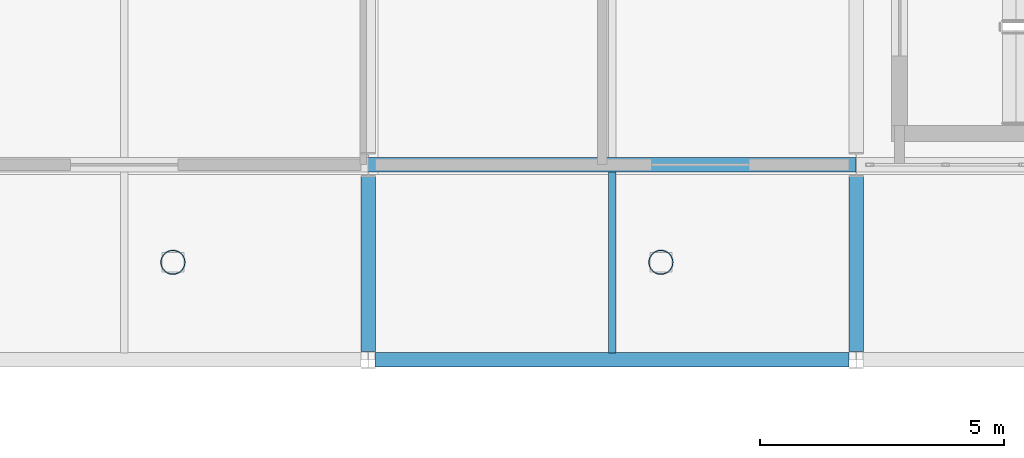
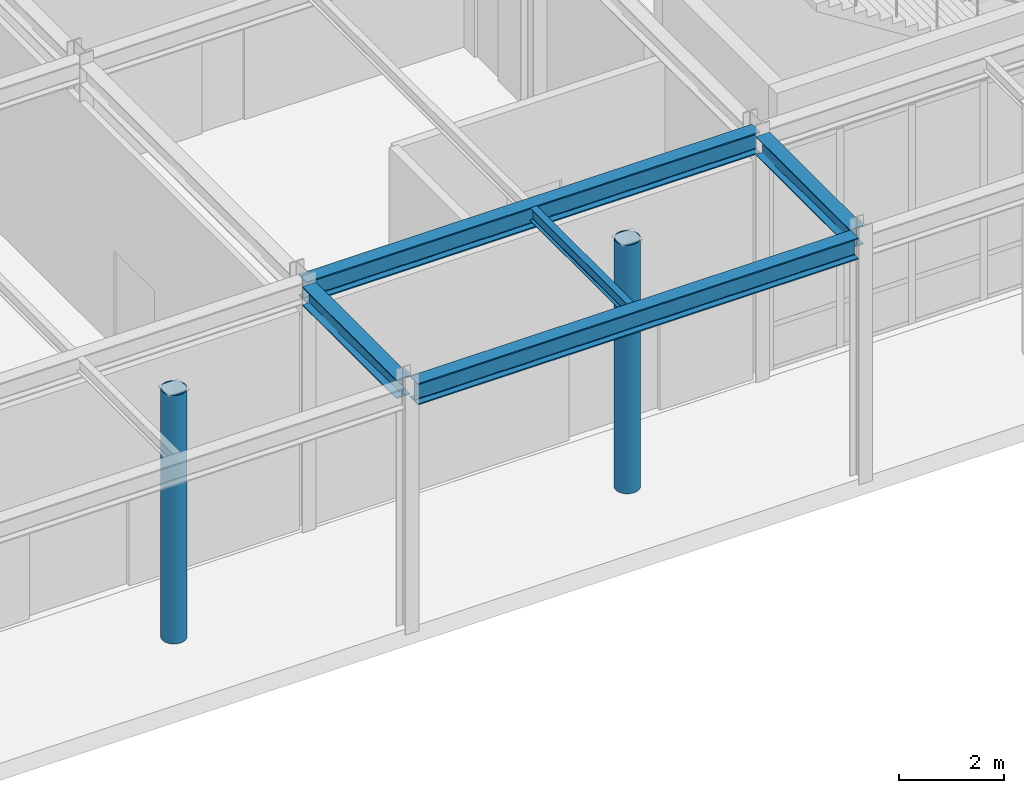
# One storey, part 81 of 146: 5 beams, 2 members.
"""IFC4 building model written with IfcOpenShell, lengths in metres."""

from ifc_helpers import new_model, si_unit, direction, frame, origin, origin_2d, place, context, subcontext, project, spatial, hollow_circle, i_section, extrude, material, material_profile, profile_set, type_object, element, save


model = new_model("IFC4")

# Units and contexts
model_context = context("Model", 3, precision=1e-05, world=origin(), true_north=direction((0.0, 1.0)))
body_context = subcontext(model_context, "Body", "Model", "MODEL_VIEW")
ifc_project = project(units=[si_unit("LENGTHUNIT", "METRE"), si_unit("AREAUNIT", "SQUARE_METRE"), si_unit("VOLUMEUNIT", "CUBIC_METRE"), si_unit("PLANEANGLEUNIT", "RADIAN"), si_unit("MASSUNIT", "GRAM", prefix="KILO")], contexts=[model_context])

# Site, building, storey
site_placement = place(None, origin())
site = spatial("IfcSite", under=ifc_project, at=site_placement, CompositionType="ELEMENT")
building_placement = place(site_placement, origin())
building = spatial("IfcBuilding", under=site, at=building_placement, Name="Kaldris Quays Convention Centre", CompositionType="ELEMENT")
storey_placement = place(building_placement, origin())
storey = spatial("IfcBuildingStorey", under=building, at=storey_placement, Name="L00", CompositionType="ELEMENT", Elevation=0.0)

# Beams
ifc_material_1 = material(Name="Steel S355J2", Category="steel")
ifc_material_profile_1 = material_profile(ifc_material_1, i_section(OverallWidth=0.300048828125, OverallDepth=0.5, WebThickness=0.014404296875, FlangeThickness=0.028076171875, FilletRadius=0.027099609375, at=origin_2d()), Name="HEB 500")
ifc_profile_set_1 = profile_set([ifc_material_profile_1], Name="Steel S355J2")
beam_type_1 = type_object("IfcBeamType", Name="STRUCTURAL BEAM BM06", PredefinedType="BEAM", material=ifc_profile_set_1)
beam_1_placement = place(storey_placement, frame((184.14404296875, 16.0, 5.4951171875), z_axis=(1.0, 0.0, 0.0), x_axis=(0.0, 1.0, 0.0)))
element("IfcBeam", 1, at=beam_1_placement, inside=storey, type_object=beam_type_1, Name="L00 Girder BM06 4", PredefinedType="BEAM", context=body_context, shape_type="SweptSolid", body=[
    extrude(i_section(OverallWidth=0.300048828125, OverallDepth=0.5, WebThickness=0.014404296875, FlangeThickness=0.028076171875, FilletRadius=0.027099609375, at=origin_2d()), origin(), (0.0, 0.0, 1.0), 9.7119140625),
])
beam_2_placement = place(storey_placement, frame((184.001220703125, 20.0, 5.492919921875), z_axis=(1.0, 0.0, 0.0), x_axis=(0.0, 1.0, 0.0)))
element("IfcBeam", 2, at=beam_2_placement, inside=storey, type_object=beam_type_1, Name="L00 Girder BM06 9", PredefinedType="BEAM", context=body_context, shape_type="SweptSolid", body=[
    extrude(i_section(OverallWidth=0.300048828125, OverallDepth=0.5, WebThickness=0.014404296875, FlangeThickness=0.028076171875, FilletRadius=0.027099609375, at=origin_2d()), origin(), (0.0, 0.0, 1.0), 9.99755859375),
])
ifc_material_profile_2 = material_profile(ifc_material_1, i_section(OverallWidth=0.300048828125, OverallDepth=0.43994140625, WebThickness=0.011474609375, FlangeThickness=0.02099609375, FilletRadius=0.027099609375, at=origin_2d()), Name="HEA 450")
ifc_profile_set_2 = profile_set([ifc_material_profile_2], Name="Steel S355J2")
beam_type_2 = type_object("IfcBeamType", Name="STRUCTURAL BEAM BM14", PredefinedType="BEAM", material=ifc_profile_set_2)
for number, where, z_axis, x_axis, name in (
    (3, (184.0, 16.1689453125, 5.52294921875), (0.0, 1.0, 0.0), (-1.0, 0.0, 0.0), "L00 Girder BM14 30"),
    (4, (194.0, 16.1689453125, 5.52294921875), (0.0, 1.0, 0.0), (-1.0, 0.0, 0.0), "L00 Girder BM14 33"),
):
    element("IfcBeam", number, at=place(storey_placement, frame(where, z_axis=z_axis, x_axis=x_axis)), inside=storey, type_object=beam_type_2, Name=name, PredefinedType="BEAM", context=body_context, shape_type="SweptSolid", body=[
        extrude(i_section(OverallWidth=0.300048828125, OverallDepth=0.43994140625, WebThickness=0.011474609375, FlangeThickness=0.02099609375, FilletRadius=0.027099609375, at=origin_2d()), origin(), (0.0, 0.0, 1.0), 3.587158203125),
    ])
ifc_material_profile_3 = material_profile(ifc_material_1, i_section(OverallWidth=0.14990234375, OverallDepth=0.300048828125, WebThickness=0.007080078125, FlangeThickness=0.0107421875, FilletRadius=0.014892578125, at=origin_2d()), Name="IPE 300")
ifc_profile_set_3 = profile_set([ifc_material_profile_3], Name="Steel S355J2")
beam_type_3 = type_object("IfcBeamType", Name="STRUCTURAL BEAM JT04", PredefinedType="JOIST", material=ifc_profile_set_3)
beam_3_placement = place(storey_placement, frame((189.0, 16.14404296875, 5.593017578125), z_axis=(0.0, 1.0, 0.0), x_axis=(-1.0, 0.0, 0.0)))
element("IfcBeam", 5, at=beam_3_placement, inside=storey, type_object=beam_type_3, Name="L00 Secondary Joist JT04 4", PredefinedType="JOIST", context=body_context, shape_type="SweptSolid", body=[
    extrude(i_section(OverallWidth=0.14990234375, OverallDepth=0.300048828125, WebThickness=0.007080078125, FlangeThickness=0.0107421875, FilletRadius=0.014892578125, at=origin_2d()), origin(), (0.0, 0.0, 1.0), 3.7119140625),
])

# Members
ifc_material_2 = material(Name="Steel S355J2H", Category="steel")
ifc_material_profile_4 = material_profile(ifc_material_2, hollow_circle(Radius=0.25390625, WallThickness=0.02001953125, at=origin_2d()), Name="CHS 508x20")
ifc_profile_set_4 = profile_set([ifc_material_profile_4], Name="Steel S355J2H")
member_type = type_object("IfcMemberType", Name="STRUCTURAL MEMBER MP01", PredefinedType="POST", material=ifc_profile_set_4)
for number, where, z_axis, x_axis, name in (
    (6, (180.0, 18.0, 0.0), (0.0, 0.0, 1.0), (1.0, 0.0, 0.0), "L00 Riverfront Colonnade Tubular Post MP01 3"),
    (7, (190.0, 18.0, 0.0), (0.0, 0.0, 1.0), (1.0, 0.0, 0.0), "L00 Riverfront Colonnade Tubular Post MP01 4"),
):
    element("IfcMember", number, at=place(storey_placement, frame(where, z_axis=z_axis, x_axis=x_axis)), inside=storey, type_object=member_type, Name=name, PredefinedType="POST", context=body_context, shape_type="SweptSolid", body=[
        extrude(hollow_circle(Radius=0.25390625, WallThickness=0.02001953125, at=origin_2d()), origin(), (0.0, 0.0, 1.0), 5.794921875),
    ])

save(model, "model.ifc")
